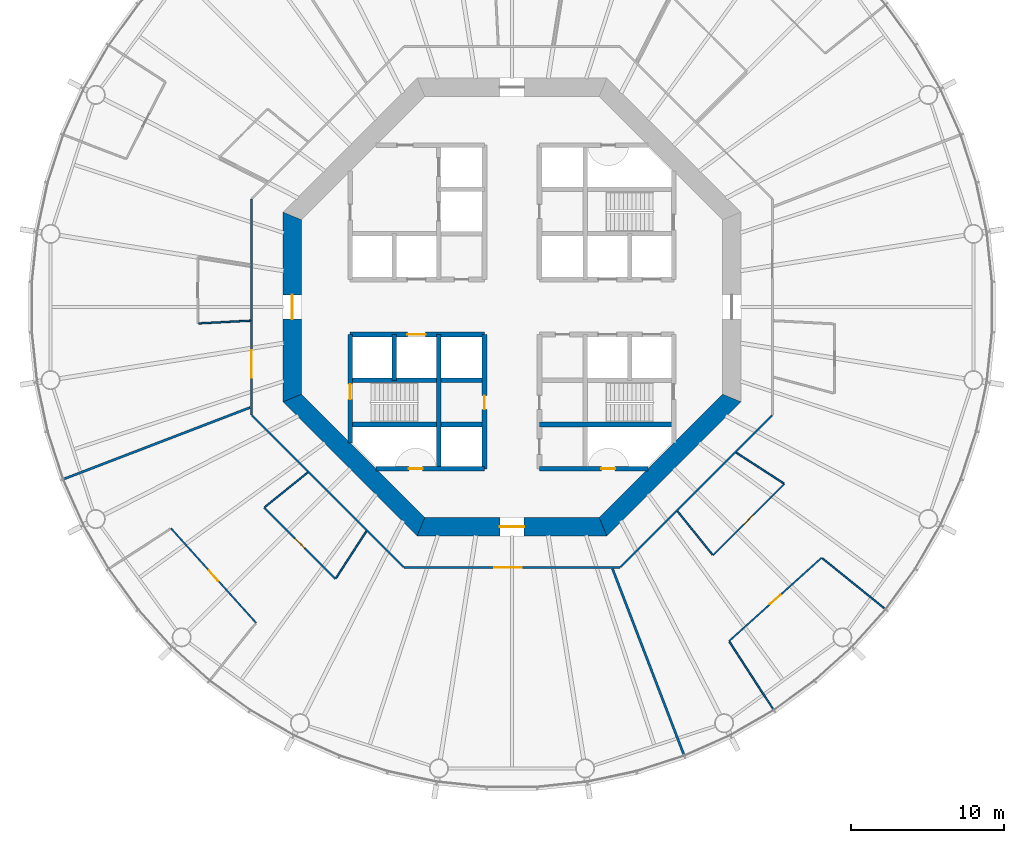
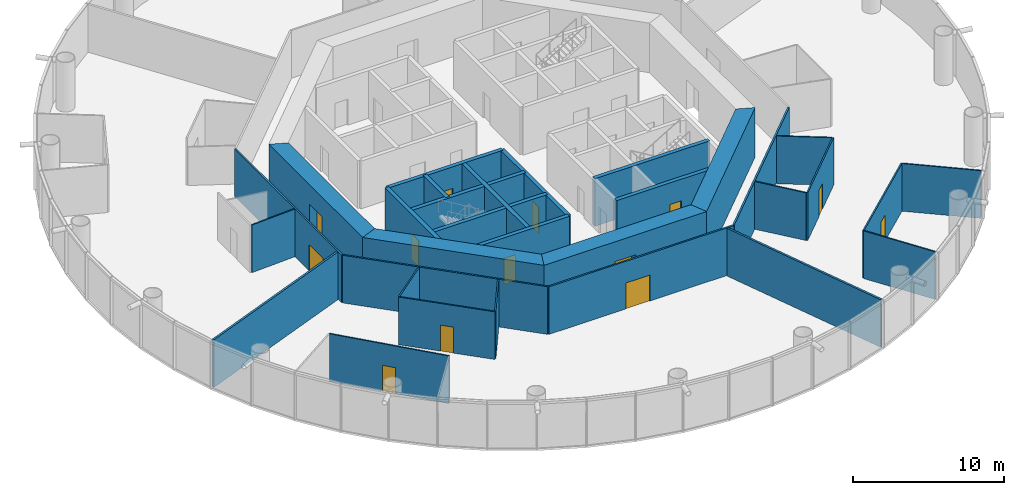
# One storey, part 3 of 13: 31 walls, 13 doors, 13 openings.
"""IFC4 building model written with IfcOpenShell, lengths in metres."""

from ifc_helpers import new_model, si_unit, direction, frame, frame_2d, origin, place, context, subcontext, project, spatial, polyline, rectangle, outline, extrude, material, layer, layer_set, type_object, element, fill, save


model = new_model("IFC4")

# Units and contexts
model_context = context("Model", 3, precision=1e-05, world=origin(), true_north=direction((0.0, 1.0)))
body_context = subcontext(model_context, "Body", "Model", "MODEL_VIEW")
ifc_project = project(units=[si_unit("LENGTHUNIT", "METRE"), si_unit("AREAUNIT", "SQUARE_METRE"), si_unit("VOLUMEUNIT", "CUBIC_METRE"), si_unit("PLANEANGLEUNIT", "RADIAN"), si_unit("MASSUNIT", "GRAM", prefix="KILO")], contexts=[model_context])

# Site, building, storey
site_placement = place(None, origin())
site = spatial("IfcSite", under=ifc_project, at=site_placement, CompositionType="ELEMENT")
building_placement = place(site_placement, origin())
building = spatial("IfcBuilding", under=site, at=building_placement, Name="Entoto Ring Tower", CompositionType="ELEMENT")
storey_placement = place(building_placement, frame((0.0, 0.0, 112.0)))
storey = spatial("IfcBuildingStorey", under=building, at=storey_placement, Name="L25", CompositionType="ELEMENT", Elevation=112.0)

# Wall, opening, door
ifc_material_1 = material(Name="Concrete C40/50", Category="concrete")
ifc_layer_1 = layer(ifc_material_1, 0.300048828125)
ifc_layer_set_1 = layer_set([ifc_layer_1], Name="Concrete C40/50")
wall_type_1 = type_object("IfcWallType", Name="Core enclosure wall 300 mm reinforced concrete", PredefinedType="SOLIDWALL", material=ifc_layer_set_1)
wall_1_placement = place(storey_placement, frame((88.199951171875, 69.39990234375, 0.0), z_axis=(0.0, 0.0, 1.0), x_axis=(0.0, 1.0, 0.0)))
wall_1 = element("IfcWall", 1, at=wall_1_placement, inside=storey, type_object=wall_type_1, Name="wall-L25-009", PredefinedType="SOLIDWALL", context=body_context, shape_type="SweptSolid", body=[
    extrude(rectangle(XDim=8.800048828125, YDim=0.300048828125, at=frame_2d((4.39990234375, 0.0))), origin(), (0.0, 0.0, 1.0), 3.85009765625),
])
opening_1_placement = place(wall_1_placement, frame((3.89990234375, 0.0, 0.0)))
opening_1 = element("IfcOpeningElement", 2, at=opening_1_placement, cuts=wall_1, Name="Opening K-14", PredefinedType="OPENING", context=body_context, shape_type="SweptSolid", body=[
    extrude(rectangle(XDim=0.89990234375, YDim=2.10009765625, at=frame_2d((0.449951171875, 1.050048828125))), frame((0.0, 0.16015625, 0.0), z_axis=(0.0, -1.0, 0.0), x_axis=(1.0, 0.0, 0.0)), (0.0, 0.0, 1.0), 0.320068359375),
])
ifc_material_2 = material(Name="Steel door leaf, fire rated", Category="steel")
ifc_layer_2 = layer(ifc_material_2, 0.050048828125)
ifc_layer_set_2 = layer_set([ifc_layer_2], Name="Steel door leaf, fire rated")
door_type_1 = type_object("IfcDoorType", Name="Core door 900 x 2100 single leaf", OperationType="NOTDEFINED", PredefinedType="DOOR", material=ifc_layer_set_2)
door_1_placement = place(opening_1_placement, origin())
door_1 = element("IfcDoor", 3, at=door_1_placement, inside=storey, type_object=door_type_1, Name="Door K-14", OperationType="SINGLE_SWING_RIGHT", OverallHeight=2.10009765625, OverallWidth=0.89990234375, PredefinedType="DOOR", context=body_context, shape_type="SweptSolid", body=[
    extrude(rectangle(XDim=0.89990234375, YDim=2.10009765625, at=frame_2d((0.449951171875, 1.050048828125))), frame((0.0, 0.02490234375, 0.0), z_axis=(0.0, -1.0, 0.0), x_axis=(1.0, 0.0, 0.0)), (0.0, 0.0, 1.0), 0.050048828125),
])
fill(opening_1, door_1)

# Walls
wall_2_placement = place(storey_placement, frame((85.199951171875, 69.39990234375, 0.0), z_axis=(0.0, 0.0, 1.0), x_axis=(0.0, 1.0, 0.0)))
element("IfcWall", 4, at=wall_2_placement, inside=storey, type_object=wall_type_1, Name="wall-L25-011", PredefinedType="SOLIDWALL", context=body_context, shape_type="SweptSolid", body=[
    extrude(rectangle(XDim=8.800048828125, YDim=0.300048828125, at=frame_2d((4.39990234375, 0.0))), origin(), (0.0, 0.0, 1.0), 3.85009765625),
])
wall_3_placement = place(storey_placement, frame((82.300048828125, 75.199951171875, 0.0), z_axis=(0.0, 0.0, 1.0), x_axis=(0.0, 1.0, 0.0)))
element("IfcWall", 5, at=wall_3_placement, inside=storey, type_object=wall_type_1, Name="wall-L25-013", PredefinedType="SOLIDWALL", context=body_context, shape_type="SweptSolid", body=[
    extrude(rectangle(XDim=3.0, YDim=0.300048828125, at=frame_2d((1.5, 0.0))), origin(), (0.0, 0.0, 1.0), 3.85009765625),
])

# Wall, opening, door
wall_4_placement = place(storey_placement, frame((79.39990234375, 71.083984375, 0.0), z_axis=(0.0, 0.0, 1.0), x_axis=(0.0, 1.0, 0.0)))
wall_4 = element("IfcWall", 6, at=wall_4_placement, inside=storey, type_object=wall_type_1, Name="wall-L25-015", PredefinedType="SOLIDWALL", context=body_context, shape_type="SweptSolid", body=[
    extrude(rectangle(XDim=7.115966796875, YDim=0.300048828125, at=frame_2d((3.55810546875, 0.0))), origin(), (0.0, 0.0, 1.0), 3.85009765625),
])
opening_2_placement = place(wall_4_placement, frame((2.8662109375, 0.0, 0.0)))
opening_2 = element("IfcOpeningElement", 7, at=opening_2_placement, cuts=wall_4, Name="Opening K-59", PredefinedType="OPENING", context=body_context, shape_type="SweptSolid", body=[
    extrude(rectangle(XDim=1.0, YDim=2.10009765625, at=frame_2d((0.5, 1.050048828125))), frame((0.0, 0.16015625, 0.0), z_axis=(0.0, -1.0, 0.0), x_axis=(1.0, 0.0, 0.0)), (0.0, 0.0, 1.0), 0.320068359375),
])
ifc_material_3 = material(Name="Steel door leaf, fire rated", Category="steel")
ifc_layer_3 = layer(ifc_material_3, 0.050048828125)
ifc_layer_set_3 = layer_set([ifc_layer_3], Name="Steel door leaf, fire rated")
door_type_2 = type_object("IfcDoorType", Name="Fire door FD60 1000 x 2100 single leaf", OperationType="NOTDEFINED", PredefinedType="DOOR", material=ifc_layer_set_3)
door_2_placement = place(opening_2_placement, frame((1.0, 0.0, 0.0), z_axis=(0.0, 0.0, 1.0), x_axis=(-1.0, 0.0, 0.0)))
door_2 = element("IfcDoor", 8, at=door_2_placement, inside=storey, type_object=door_type_2, Name="Door K-59", OperationType="SINGLE_SWING_LEFT", OverallHeight=2.10009765625, OverallWidth=1.0, PredefinedType="DOOR", context=body_context, shape_type="SweptSolid", body=[
    extrude(rectangle(XDim=1.0, YDim=2.10009765625, at=frame_2d((0.5, 1.050048828125))), frame((0.0, 0.02490234375, 0.0), z_axis=(0.0, -1.0, 0.0), x_axis=(1.0, 0.0, 0.0)), (0.0, 0.0, 1.0), 0.050048828125),
])
fill(opening_2, door_2)

wall_5_placement = place(storey_placement, frame((81.083984375, 69.39990234375, 0.0), z_axis=(0.0, 0.0, 1.0), x_axis=(1.0, 0.0, 0.0)))
wall_5 = element("IfcWall", 9, at=wall_5_placement, inside=storey, type_object=wall_type_1, Name="wall-L25-017", PredefinedType="SOLIDWALL", context=body_context, shape_type="SweptSolid", body=[
    extrude(rectangle(XDim=7.115966796875, YDim=0.300048828125, at=frame_2d((3.55810546875, 0.0))), origin(), (0.0, 0.0, 1.0), 3.85009765625),
])
opening_3_placement = place(wall_5_placement, frame((2.166015625, 0.0, 0.0)))
opening_3 = element("IfcOpeningElement", 10, at=opening_3_placement, cuts=wall_5, Name="Opening K-66", PredefinedType="OPENING", context=body_context, shape_type="SweptSolid", body=[
    extrude(rectangle(XDim=0.89990234375, YDim=2.10009765625, at=frame_2d((0.449951171875, 1.050048828125))), frame((0.0, 0.16015625, 0.0), z_axis=(0.0, -1.0, 0.0), x_axis=(1.0, 0.0, 0.0)), (0.0, 0.0, 1.0), 0.320068359375),
])
ifc_material_4 = material(Name="Steel door leaf, fire rated", Category="steel")
ifc_layer_4 = layer(ifc_material_4, 0.050048828125)
ifc_layer_set_4 = layer_set([ifc_layer_4], Name="Steel door leaf, fire rated")
door_type_3 = type_object("IfcDoorType", Name="Riser door FD60 900 x 2100 single leaf", OperationType="NOTDEFINED", PredefinedType="DOOR", material=ifc_layer_set_4)
door_3_placement = place(opening_3_placement, origin())
door_3 = element("IfcDoor", 11, at=door_3_placement, inside=storey, type_object=door_type_3, Name="Door K-66", OperationType="SINGLE_SWING_RIGHT", OverallHeight=2.10009765625, OverallWidth=0.89990234375, PredefinedType="DOOR", context=body_context, shape_type="SweptSolid", body=[
    extrude(rectangle(XDim=0.89990234375, YDim=2.10009765625, at=frame_2d((0.449951171875, 1.050048828125))), frame((0.0, 0.02490234375, 0.0), z_axis=(0.0, -1.0, 0.0), x_axis=(1.0, 0.0, 0.0)), (0.0, 0.0, 1.0), 0.050048828125),
])
fill(opening_3, door_3)

wall_6_placement = place(storey_placement, frame((91.800048828125, 69.39990234375, 0.0), z_axis=(0.0, 0.0, 1.0), x_axis=(1.0, 0.0, 0.0)))
wall_6 = element("IfcWall", 12, at=wall_6_placement, inside=storey, type_object=wall_type_1, Name="wall-L25-018", PredefinedType="SOLIDWALL", context=body_context, shape_type="SweptSolid", body=[
    extrude(rectangle(XDim=7.115966796875, YDim=0.300048828125, at=frame_2d((3.55810546875, 0.0))), origin(), (0.0, 0.0, 1.0), 3.85009765625),
])
opening_4_placement = place(wall_6_placement, frame((4.050048828125, 0.0, 0.0)))
opening_4 = element("IfcOpeningElement", 13, at=opening_4_placement, cuts=wall_6, Name="Opening K-68", PredefinedType="OPENING", context=body_context, shape_type="SweptSolid", body=[
    extrude(rectangle(XDim=0.89990234375, YDim=2.10009765625, at=frame_2d((0.449951171875, 1.050048828125))), frame((0.0, 0.16015625, 0.0), z_axis=(0.0, -1.0, 0.0), x_axis=(1.0, 0.0, 0.0)), (0.0, 0.0, 1.0), 0.320068359375),
])
door_4_placement = place(opening_4_placement, origin())
door_4 = element("IfcDoor", 14, at=door_4_placement, inside=storey, type_object=door_type_3, Name="Door K-68", OperationType="SINGLE_SWING_LEFT", OverallHeight=2.10009765625, OverallWidth=0.89990234375, PredefinedType="DOOR", context=body_context, shape_type="SweptSolid", body=[
    extrude(rectangle(XDim=0.89990234375, YDim=2.10009765625, at=frame_2d((0.449951171875, 1.050048828125))), frame((0.0, 0.02490234375, 0.0), z_axis=(0.0, -1.0, 0.0), x_axis=(1.0, 0.0, 0.0)), (0.0, 0.0, 1.0), 0.050048828125),
])
fill(opening_4, door_4)

# Walls
for number, where, z_axis, x_axis, name in (
    (15, (79.39990234375, 72.300048828125, 0.0), (0.0, 0.0, 1.0), (1.0, 0.0, 0.0), "wall-L25-019"),
    (16, (91.800048828125, 72.300048828125, 0.0), (0.0, 0.0, 1.0), (1.0, 0.0, 0.0), "wall-L25-020"),
    (17, (79.39990234375, 75.199951171875, 0.0), (0.0, 0.0, 1.0), (1.0, 0.0, 0.0), "wall-L25-021"),
):
    element("IfcWall", number, at=place(storey_placement, frame(where, z_axis=z_axis, x_axis=x_axis)), inside=storey, type_object=wall_type_1, Name=name, PredefinedType="SOLIDWALL", context=body_context, shape_type="SweptSolid", body=[
        extrude(rectangle(XDim=8.800048828125, YDim=0.300048828125, at=frame_2d((4.39990234375, 0.0))), origin(), (0.0, 0.0, 1.0), 3.85009765625),
    ])

# Wall, opening, door
wall_7_placement = place(storey_placement, frame((79.39990234375, 78.199951171875, 0.0), z_axis=(0.0, 0.0, 1.0), x_axis=(1.0, 0.0, 0.0)))
wall_7 = element("IfcWall", 18, at=wall_7_placement, inside=storey, type_object=wall_type_1, Name="wall-L25-023", PredefinedType="SOLIDWALL", context=body_context, shape_type="SweptSolid", body=[
    extrude(rectangle(XDim=8.800048828125, YDim=0.300048828125, at=frame_2d((4.39990234375, 0.0))), origin(), (0.0, 0.0, 1.0), 3.85009765625),
])
opening_5_placement = place(wall_7_placement, frame((3.75, 0.0, 0.0)))
opening_5 = element("IfcOpeningElement", 19, at=opening_5_placement, cuts=wall_7, Name="Opening LD", PredefinedType="OPENING", context=body_context, shape_type="SweptSolid", body=[
    extrude(rectangle(XDim=1.199951171875, YDim=2.10009765625, at=frame_2d((0.60009765625, 1.050048828125))), frame((0.0, 0.16015625, 0.0), z_axis=(0.0, -1.0, 0.0), x_axis=(1.0, 0.0, 0.0)), (0.0, 0.0, 1.0), 0.320068359375),
])
ifc_material_5 = material(Name="Steel and glass door leaf", Category="steel")
ifc_layer_5 = layer(ifc_material_5, 0.050048828125)
ifc_layer_set_5 = layer_set([ifc_layer_5], Name="Steel and glass door leaf")
door_type_4 = type_object("IfcDoorType", Name="Landing door 1200 x 2100 sliding", OperationType="DOUBLE_DOOR_SLIDING", PredefinedType="DOOR", material=ifc_layer_set_5)
door_5_placement = place(opening_5_placement, origin())
door_5 = element("IfcDoor", 20, at=door_5_placement, inside=storey, type_object=door_type_4, Name="Landing door LB6-LR", OperationType="SLIDING_TO_RIGHT", OverallHeight=2.10009765625, OverallWidth=1.199951171875, PredefinedType="DOOR", context=body_context, shape_type="SweptSolid", body=[
    extrude(rectangle(XDim=1.199951171875, YDim=2.10009765625, at=frame_2d((0.60009765625, 1.050048828125))), frame((0.0, 0.02490234375, 0.0), z_axis=(0.0, -1.0, 0.0), x_axis=(1.0, 0.0, 0.0)), (0.0, 0.0, 1.0), 0.050048828125),
])
fill(opening_5, door_5)

ifc_material_6 = material(Name="Concrete C60/75", Category="concrete")
ifc_layer_6 = layer(ifc_material_6, 1.199951171875)
ifc_layer_set_6 = layer_set([ifc_layer_6], Name="Concrete C60/75")
wall_type_2 = type_object("IfcWallType", Name="Core shear wall 1200 mm reinforced concrete C60/75", PredefinedType="SHEAR", material=ifc_layer_set_6)
wall_8_placement = place(storey_placement, frame((75.60009765625, 85.964599609375, 0.0), z_axis=(0.0, 0.0, 1.0), x_axis=(0.0, -1.0, 0.0)))
wall_8 = element("IfcWall", 21, at=wall_8_placement, inside=storey, type_object=wall_type_2, Name="wall-L25-core-4", PredefinedType="SHEAR", context=body_context, shape_type="SweptSolid", body=[
    extrude(outline(polyline([(-0.24853515625, -0.60009765625), (12.177734375, -0.60009765625), (11.6806640625, 0.60009765625), (0.24853515625, 0.60009765625), (-0.24853515625, -0.60009765625)])), origin(), (0.0, 0.0, 1.0), 4.0),
])
opening_6_placement = place(wall_8_placement, frame((5.164794921875, 0.0, 0.0)))
opening_6 = element("IfcOpeningElement", 22, at=opening_6_placement, cuts=wall_8, Name="Opening K-03", PredefinedType="OPENING", context=body_context, shape_type="SweptSolid", body=[
    extrude(rectangle(XDim=1.60009765625, YDim=2.39990234375, at=frame_2d((0.800048828125, 1.199951171875))), frame((0.0, 0.60986328125, 0.0), z_axis=(0.0, -1.0, 0.0), x_axis=(1.0, 0.0, 0.0)), (0.0, 0.0, 1.0), 1.219970703125),
])
ifc_material_7 = material(Name="Steel door leaf, fire rated", Category="steel")
ifc_layer_7 = layer(ifc_material_7, 0.050048828125)
ifc_layer_set_7 = layer_set([ifc_layer_7], Name="Steel door leaf, fire rated")
door_type_5 = type_object("IfcDoorType", Name="Entrance door FD60 1600 x 2400 double leaf", OperationType="DOUBLE_DOOR_SINGLE_SWING", PredefinedType="DOOR", material=ifc_layer_set_7)
door_6_placement = place(opening_6_placement, origin())
door_6 = element("IfcDoor", 23, at=door_6_placement, inside=storey, type_object=door_type_5, Name="Entrance door K-03", OperationType="DOUBLE_DOOR_SINGLE_SWING", OverallHeight=2.39990234375, OverallWidth=1.60009765625, PredefinedType="DOOR", context=body_context, shape_type="SweptSolid", body=[
    extrude(rectangle(XDim=1.60009765625, YDim=2.39990234375, at=frame_2d((0.800048828125, 1.199951171875))), frame((0.0, 0.02490234375, 0.0), z_axis=(0.0, -1.0, 0.0), x_axis=(1.0, 0.0, 0.0)), (0.0, 0.0, 1.0), 0.050048828125),
])
fill(opening_6, door_6)

# Wall
wall_9_placement = place(storey_placement, frame((75.60009765625, 74.035400390625, 0.0), z_axis=(0.0, 0.0, 1.0), x_axis=(0.707106781187, -0.707106781187, 0.0)))
element("IfcWall", 24, at=wall_9_placement, inside=storey, type_object=wall_type_2, Name="wall-L25-core-5", PredefinedType="SHEAR", context=body_context, shape_type="SweptSolid", body=[
    extrude(outline(polyline([(-0.24853515625, -0.60009765625), (12.177734375, -0.60009765625), (11.6806640625, 0.60009765625), (0.24853515625, 0.60009765625), (-0.24853515625, -0.60009765625)])), origin(), (0.0, 0.0, 1.0), 4.0),
])

# Wall, opening, door
wall_10_placement = place(storey_placement, frame((84.035400390625, 65.60009765625, 0.0), z_axis=(0.0, 0.0, 1.0), x_axis=(1.0, 0.0, 0.0)))
wall_10 = element("IfcWall", 25, at=wall_10_placement, inside=storey, type_object=wall_type_2, Name="wall-L25-core-6", PredefinedType="SHEAR", context=body_context, shape_type="SweptSolid", body=[
    extrude(outline(polyline([(-0.24853515625, -0.60009765625), (12.177734375, -0.60009765625), (11.6806640625, 0.60009765625), (0.24853515625, 0.60009765625), (-0.24853515625, -0.60009765625)])), origin(), (0.0, 0.0, 1.0), 4.0),
])
opening_7_placement = place(wall_10_placement, frame((5.164794921875, 0.0, 0.0)))
opening_7 = element("IfcOpeningElement", 26, at=opening_7_placement, cuts=wall_10, Name="Opening K-04", PredefinedType="OPENING", context=body_context, shape_type="SweptSolid", body=[
    extrude(rectangle(XDim=1.60009765625, YDim=2.39990234375, at=frame_2d((0.800048828125, 1.199951171875))), frame((0.0, 0.60986328125, 0.0), z_axis=(0.0, -1.0, 0.0), x_axis=(1.0, 0.0, 0.0)), (0.0, 0.0, 1.0), 1.219970703125),
])
door_7_placement = place(opening_7_placement, origin())
door_7 = element("IfcDoor", 27, at=door_7_placement, inside=storey, type_object=door_type_5, Name="Entrance door K-04", OperationType="DOUBLE_DOOR_SINGLE_SWING", OverallHeight=2.39990234375, OverallWidth=1.60009765625, PredefinedType="DOOR", context=body_context, shape_type="SweptSolid", body=[
    extrude(rectangle(XDim=1.60009765625, YDim=2.39990234375, at=frame_2d((0.800048828125, 1.199951171875))), frame((0.0, 0.02490234375, 0.0), z_axis=(0.0, -1.0, 0.0), x_axis=(1.0, 0.0, 0.0)), (0.0, 0.0, 1.0), 0.050048828125),
])
fill(opening_7, door_7)

# Wall
wall_11_placement = place(storey_placement, frame((95.964599609375, 65.60009765625, 0.0), z_axis=(0.0, 0.0, 1.0), x_axis=(0.707106781187, 0.707106781187, 0.0)))
element("IfcWall", 28, at=wall_11_placement, inside=storey, type_object=wall_type_2, Name="wall-L25-core-7", PredefinedType="SHEAR", context=body_context, shape_type="SweptSolid", body=[
    extrude(outline(polyline([(-0.24853515625, -0.60009765625), (12.177734375, -0.60009765625), (11.6806640625, 0.60009765625), (0.24853515625, 0.60009765625), (-0.24853515625, -0.60009765625)])), origin(), (0.0, 0.0, 1.0), 4.0),
])

# Wall, opening, door
ifc_material_8 = material(Name="Fire-resisting plasterboard on steel studs", Category="steel")
ifc_layer_8 = layer(ifc_material_8, 0.125)
ifc_layer_set_8 = layer_set([ifc_layer_8], Name="Fire-resisting plasterboard on steel studs")
wall_type_3 = type_object("IfcWallType", Name="Corridor wall 125 mm one-hour plasterboard on steel studs", PredefinedType="PARTITIONING", material=ifc_layer_set_8)
wall_12_placement = place(storey_placement, frame((72.9375, 72.9326171875, 0.0), z_axis=(0.0, 0.0, 1.0), x_axis=(0.0, 1.0, 0.0)))
wall_12 = element("IfcWall", 29, at=wall_12_placement, inside=storey, type_object=wall_type_3, Name="partition-L25-001", PredefinedType="PARTITIONING", context=body_context, shape_type="SweptSolid", body=[
    extrude(rectangle(XDim=14.134765625, YDim=0.125, at=frame_2d((7.0673828125, 0.0))), origin(), (0.0, 0.0, 1.0), 3.85009765625),
])
opening_8_placement = place(wall_12_placement, frame((2.445556640625, 0.0, 0.0)))
opening_8 = element("IfcOpeningElement", 30, at=opening_8_placement, cuts=wall_12, Name="Opening A10-D05", PredefinedType="OPENING", context=body_context, shape_type="SweptSolid", body=[
    extrude(rectangle(XDim=1.800048828125, YDim=2.10009765625, at=frame_2d((0.89990234375, 1.050048828125))), frame((0.0, 0.072509765625, 0.0), z_axis=(0.0, -1.0, 0.0), x_axis=(1.0, 0.0, 0.0)), (0.0, 0.0, 1.0), 0.14501953125),
])
ifc_material_9 = material(Name="Fire-resisting timber door set", Category="wood")
door_type_6 = type_object("IfcDoorType", Name="Door 1800 x 2100 double leaf FD30S fire door", OperationType="DOUBLE_DOOR_SINGLE_SWING", PredefinedType="DOOR", material=ifc_material_9)
door_8_placement = place(opening_8_placement, origin())
door_8 = element("IfcDoor", 31, at=door_8_placement, inside=storey, type_object=door_type_6, Name="Door A10-D05", OperationType="DOUBLE_DOOR_SINGLE_SWING", OverallHeight=2.10009765625, OverallWidth=1.800048828125, PredefinedType="DOOR", context=body_context, shape_type="SweptSolid", body=[
    extrude(rectangle(XDim=1.800048828125, YDim=2.10009765625, at=frame_2d((0.89990234375, 1.050048828125))), frame((0.0, 0.02490234375, 0.0), z_axis=(0.0, -1.0, 0.0), x_axis=(1.0, 0.0, 0.0)), (0.0, 0.0, 1.0), 0.050048828125),
])
fill(opening_8, door_8)

wall_13_placement = place(storey_placement, frame((82.9326171875, 62.9375, 0.0), z_axis=(0.0, 0.0, 1.0), x_axis=(1.0, 0.0, 0.0)))
wall_13 = element("IfcWall", 32, at=wall_13_placement, inside=storey, type_object=wall_type_3, Name="partition-L25-002", PredefinedType="PARTITIONING", context=body_context, shape_type="SweptSolid", body=[
    extrude(rectangle(XDim=14.134765625, YDim=0.125, at=frame_2d((7.0673828125, 0.0))), origin(), (0.0, 0.0, 1.0), 3.85009765625),
])
opening_9_placement = place(wall_13_placement, frame((5.90869140625, 0.0, 0.0)))
opening_9 = element("IfcOpeningElement", 33, at=opening_9_placement, cuts=wall_13, Name="Opening A10-D09", PredefinedType="OPENING", context=body_context, shape_type="SweptSolid", body=[
    extrude(rectangle(XDim=1.800048828125, YDim=2.10009765625, at=frame_2d((0.89990234375, 1.050048828125))), frame((0.0, 0.072509765625, 0.0), z_axis=(0.0, -1.0, 0.0), x_axis=(1.0, 0.0, 0.0)), (0.0, 0.0, 1.0), 0.14501953125),
])
door_9_placement = place(opening_9_placement, frame((1.800048828125, 0.0, 0.0), z_axis=(0.0, 0.0, 1.0), x_axis=(-1.0, 0.0, 0.0)))
door_9 = element("IfcDoor", 34, at=door_9_placement, inside=storey, type_object=door_type_6, Name="Door A10-D09", OperationType="DOUBLE_DOOR_SINGLE_SWING", OverallHeight=2.10009765625, OverallWidth=1.800048828125, PredefinedType="DOOR", context=body_context, shape_type="SweptSolid", body=[
    extrude(rectangle(XDim=1.800048828125, YDim=2.10009765625, at=frame_2d((0.89990234375, 1.050048828125))), frame((0.0, 0.02490234375, 0.0), z_axis=(0.0, -1.0, 0.0), x_axis=(1.0, 0.0, 0.0)), (0.0, 0.0, 1.0), 0.050048828125),
])
fill(opening_9, door_9)

# Walls
for number, where, z_axis, x_axis, name in (
    (35, (82.9013671875, 62.968505859375, 0.0), (0.0, 0.0, 1.0), (-0.707106781187, 0.707106781187, 0.0), "partition-L25-006"),
    (36, (97.0986328125, 62.968505859375, 0.0), (0.0, 0.0, 1.0), (0.707106781187, 0.707106781187, 0.0), "partition-L25-007"),
):
    element("IfcWall", number, at=place(storey_placement, frame(where, z_axis=z_axis, x_axis=x_axis)), inside=storey, type_object=wall_type_3, Name=name, PredefinedType="PARTITIONING", context=body_context, shape_type="SweptSolid", body=[
        extrude(rectangle(XDim=14.047119140625, YDim=0.125, at=frame_2d((7.0234375, 0.0))), origin(), (0.0, 0.0, 1.0), 3.85009765625),
    ])

# Wall, opening, door
ifc_material_10 = material(Name="Plasterboard on steel studs", Category="steel")
ifc_layer_9 = layer(ifc_material_10, 0.10009765625)
ifc_layer_set_9 = layer_set([ifc_layer_9], Name="Plasterboard on steel studs")
wall_type_4 = type_object("IfcWallType", Name="Partition 100 mm plasterboard on steel studs", PredefinedType="PARTITIONING", material=ifc_layer_set_9)
wall_14_placement = place(storey_placement, frame((73.2412109375, 59.3046875, 0.0), z_axis=(0.0, 0.0, 1.0), x_axis=(-0.669128228002, 0.743146966953, 0.0)))
wall_14 = element("IfcWall", 37, at=wall_14_placement, inside=storey, type_object=wall_type_4, Name="partition-L25-013", PredefinedType="PARTITIONING", context=body_context, shape_type="SweptSolid", body=[
    extrude(rectangle(XDim=8.33154296875, YDim=0.10009765625, at=frame_2d((4.165771484375, 0.0))), origin(), (0.0, 0.0, 1.0), 3.85009765625),
])
opening_10_placement = place(wall_14_placement, frame((3.7158203125, 0.0, 0.0)))
opening_10 = element("IfcOpeningElement", 38, at=opening_10_placement, cuts=wall_14, Name="Opening A10-D11", PredefinedType="OPENING", context=body_context, shape_type="SweptSolid", body=[
    extrude(rectangle(XDim=0.89990234375, YDim=2.10009765625, at=frame_2d((0.449951171875, 1.050048828125))), frame((0.0, 0.06005859375, 0.0), z_axis=(0.0, -1.0, 0.0), x_axis=(1.0, 0.0, 0.0)), (0.0, 0.0, 1.0), 0.1201171875),
])
ifc_material_11 = material(Name="Veneered timber door leaf in timber frame", Category="wood")
door_type_7 = type_object("IfcDoorType", Name="Door 900 x 2100 single leaf timber veneer", OperationType="NOTDEFINED", PredefinedType="DOOR", material=ifc_material_11)
door_10_placement = place(opening_10_placement, origin())
door_10 = element("IfcDoor", 39, at=door_10_placement, inside=storey, type_object=door_type_7, Name="Door A10-D11", OperationType="SINGLE_SWING_LEFT", OverallHeight=2.10009765625, OverallWidth=0.89990234375, PredefinedType="DOOR", context=body_context, shape_type="SweptSolid", body=[
    extrude(rectangle(XDim=0.89990234375, YDim=2.10009765625, at=frame_2d((0.449951171875, 1.050048828125))), frame((0.0, 0.02490234375, 0.0), z_axis=(0.0, -1.0, 0.0), x_axis=(1.0, 0.0, 0.0)), (0.0, 0.0, 1.0), 0.050048828125),
])
fill(opening_10, door_10)

wall_15_placement = place(storey_placement, frame((104.215087890625, 58.110595703125, 0.0), z_axis=(0.0, 0.0, 1.0), x_axis=(0.743136543418, 0.669139804403, 0.0)))
wall_15 = element("IfcWall", 40, at=wall_15_placement, inside=storey, type_object=wall_type_4, Name="partition-L25-014", PredefinedType="PARTITIONING", context=body_context, shape_type="SweptSolid", body=[
    extrude(rectangle(XDim=8.165771484375, YDim=0.10009765625, at=frame_2d((4.0830078125, 0.0))), origin(), (0.0, 0.0, 1.0), 3.85009765625),
])
opening_11_placement = place(wall_15_placement, frame((3.6328125, 0.0, 0.0)))
opening_11 = element("IfcOpeningElement", 41, at=opening_11_placement, cuts=wall_15, Name="Opening A10-D15", PredefinedType="OPENING", context=body_context, shape_type="SweptSolid", body=[
    extrude(rectangle(XDim=0.89990234375, YDim=2.10009765625, at=frame_2d((0.449951171875, 1.050048828125))), frame((0.0, 0.06005859375, 0.0), z_axis=(0.0, -1.0, 0.0), x_axis=(1.0, 0.0, 0.0)), (0.0, 0.0, 1.0), 0.1201171875),
])
door_11_placement = place(opening_11_placement, frame((0.89990234375, 0.0, 0.0), z_axis=(0.0, 0.0, 1.0), x_axis=(-1.0, 0.0, 0.0)))
door_11 = element("IfcDoor", 42, at=door_11_placement, inside=storey, type_object=door_type_7, Name="Door A10-D15", OperationType="SINGLE_SWING_RIGHT", OverallHeight=2.10009765625, OverallWidth=0.89990234375, PredefinedType="DOOR", context=body_context, shape_type="SweptSolid", body=[
    extrude(rectangle(XDim=0.89990234375, YDim=2.10009765625, at=frame_2d((0.449951171875, 1.050048828125))), frame((0.0, 0.02490234375, 0.0), z_axis=(0.0, -1.0, 0.0), x_axis=(1.0, 0.0, 0.0)), (0.0, 0.0, 1.0), 0.050048828125),
])
fill(opening_11, door_11)

wall_16_placement = place(storey_placement, frame((103.169921875, 63.736572265625, 0.0), z_axis=(0.0, 0.0, 1.0), x_axis=(0.707088317181, 0.70712524471, 0.0)))
wall_16 = element("IfcWall", 43, at=wall_16_placement, inside=storey, type_object=wall_type_4, Name="partition-L25-016", PredefinedType="PARTITIONING", context=body_context, shape_type="SweptSolid", body=[
    extrude(rectangle(XDim=6.611328125, YDim=0.10009765625, at=frame_2d((3.3056640625, 0.0))), origin(), (0.0, 0.0, 1.0), 3.85009765625),
])
opening_12_placement = place(wall_16_placement, frame((2.855712890625, 0.0, 0.0)))
opening_12 = element("IfcOpeningElement", 44, at=opening_12_placement, cuts=wall_16, Name="Opening A10-D13", PredefinedType="OPENING", context=body_context, shape_type="SweptSolid", body=[
    extrude(rectangle(XDim=0.89990234375, YDim=2.10009765625, at=frame_2d((0.449951171875, 1.050048828125))), frame((0.0, 0.06005859375, 0.0), z_axis=(0.0, -1.0, 0.0), x_axis=(1.0, 0.0, 0.0)), (0.0, 0.0, 1.0), 0.1201171875),
])
door_12_placement = place(opening_12_placement, origin())
door_12 = element("IfcDoor", 45, at=door_12_placement, inside=storey, type_object=door_type_7, Name="Door A10-D13", OperationType="SINGLE_SWING_RIGHT", OverallHeight=2.10009765625, OverallWidth=0.89990234375, PredefinedType="DOOR", context=body_context, shape_type="SweptSolid", body=[
    extrude(rectangle(XDim=0.89990234375, YDim=2.10009765625, at=frame_2d((0.449951171875, 1.050048828125))), frame((0.0, 0.02490234375, 0.0), z_axis=(0.0, -1.0, 0.0), x_axis=(1.0, 0.0, 0.0)), (0.0, 0.0, 1.0), 0.050048828125),
])
fill(opening_12, door_12)

wall_17_placement = place(storey_placement, frame((78.43359375, 62.189453125, 0.0), z_axis=(0.0, 0.0, 1.0), x_axis=(-0.707088281434, 0.707125280455, 0.0)))
wall_17 = element("IfcWall", 46, at=wall_17_placement, inside=storey, type_object=wall_type_4, Name="partition-L25-017", PredefinedType="PARTITIONING", context=body_context, shape_type="SweptSolid", body=[
    extrude(rectangle(XDim=6.5986328125, YDim=0.10009765625, at=frame_2d((3.29931640625, 0.0))), origin(), (0.0, 0.0, 1.0), 3.85009765625),
])
opening_13_placement = place(wall_17_placement, frame((2.849365234375, 0.0, 0.0)))
opening_13 = element("IfcOpeningElement", 47, at=opening_13_placement, cuts=wall_17, Name="Opening A10-D10", PredefinedType="OPENING", context=body_context, shape_type="SweptSolid", body=[
    extrude(rectangle(XDim=0.89990234375, YDim=2.10009765625, at=frame_2d((0.449951171875, 1.050048828125))), frame((0.0, 0.06005859375, 0.0), z_axis=(0.0, -1.0, 0.0), x_axis=(1.0, 0.0, 0.0)), (0.0, 0.0, 1.0), 0.1201171875),
])
door_13_placement = place(opening_13_placement, frame((0.89990234375, 0.0, 0.0), z_axis=(0.0, 0.0, 1.0), x_axis=(-1.0, 0.0, 0.0)))
door_13 = element("IfcDoor", 48, at=door_13_placement, inside=storey, type_object=door_type_7, Name="Door A10-D10", OperationType="SINGLE_SWING_RIGHT", OverallHeight=2.10009765625, OverallWidth=0.89990234375, PredefinedType="DOOR", context=body_context, shape_type="SweptSolid", body=[
    extrude(rectangle(XDim=0.89990234375, YDim=2.10009765625, at=frame_2d((0.449951171875, 1.050048828125))), frame((0.0, 0.02490234375, 0.0), z_axis=(0.0, -1.0, 0.0), x_axis=(1.0, 0.0, 0.0)), (0.0, 0.0, 1.0), 0.050048828125),
])
fill(opening_13, door_13)

# Walls
for number, where, z_axis, x_axis, name in (
    (49, (107.12353515625, 53.632080078125, 0.0), (0.0, 0.0, 1.0), (-0.544639586566, 0.838670209764, 0.0), "partition-L25-020"),
    (50, (114.43359375, 60.214111328125, 0.0), (0.0, 0.0, 1.0), (-0.777154597768, 0.629309725945, 0.0), "partition-L25-021"),
):
    element("IfcWall", number, at=place(storey_placement, frame(where, z_axis=z_axis, x_axis=x_axis)), inside=storey, type_object=wall_type_4, Name=name, PredefinedType="PARTITIONING", context=body_context, shape_type="SweptSolid", body=[
        extrude(rectangle(XDim=5.290771484375, YDim=0.10009765625, at=frame_2d((2.6455078125, 0.0))), origin(), (0.0, 0.0, 1.0), 3.85009765625),
    ])
wall_18_placement = place(storey_placement, frame((107.793212890625, 68.445068359375, 0.0), z_axis=(0.0, 0.0, 1.0), x_axis=(-0.838683374187, 0.544619314624, 0.0)))
element("IfcWall", 51, at=wall_18_placement, inside=storey, type_object=wall_type_4, Name="partition-L25-036", PredefinedType="PARTITIONING", context=body_context, shape_type="SweptSolid", body=[
    extrude(rectangle(XDim=3.69775390625, YDim=0.10009765625, at=frame_2d((1.848876953125, 0.0))), origin(), (0.0, 0.0, 1.0), 3.85009765625),
])
wall_19_placement = place(storey_placement, frame((78.46728515625, 62.2412109375, 0.0), z_axis=(0.0, 0.0, 1.0), x_axis=(0.544645694367, 0.838666243274, 0.0)))
element("IfcWall", 52, at=wall_19_placement, inside=storey, type_object=wall_type_4, Name="partition-L25-037", PredefinedType="PARTITIONING", context=body_context, shape_type="SweptSolid", body=[
    extrude(rectangle(XDim=3.656982421875, YDim=0.10009765625, at=frame_2d((1.82861328125, 0.0))), origin(), (0.0, 0.0, 1.0), 3.85009765625),
])
wall_20_placement = place(storey_placement, frame((103.135009765625, 63.77978515625, 0.0), z_axis=(0.0, 0.0, 1.0), x_axis=(-0.62932917084, 0.777138851641, 0.0)))
element("IfcWall", 53, at=wall_20_placement, inside=storey, type_object=wall_type_4, Name="partition-L25-038", PredefinedType="PARTITIONING", context=body_context, shape_type="SweptSolid", body=[
    extrude(rectangle(XDim=3.64697265625, YDim=0.10009765625, at=frame_2d((1.823486328125, 0.0))), origin(), (0.0, 0.0, 1.0), 3.85009765625),
])
wall_21_placement = place(storey_placement, frame((73.810791015625, 66.890380859375, 0.0), z_axis=(0.0, 0.0, 1.0), x_axis=(0.777177086916, 0.629281952365, 0.0)))
element("IfcWall", 54, at=wall_21_placement, inside=storey, type_object=wall_type_4, Name="partition-L25-039", PredefinedType="PARTITIONING", context=body_context, shape_type="SweptSolid", body=[
    extrude(rectangle(XDim=3.60693359375, YDim=0.10009765625, at=frame_2d((1.803466796875, 0.0))), origin(), (0.0, 0.0, 1.0), 3.85009765625),
])
wall_22_placement = place(storey_placement, frame((69.47021484375, 78.924072265625, 0.0), z_axis=(0.0, 0.0, 1.0), x_axis=(0.998630667157, 0.052314344243, 0.0)))
element("IfcWall", 55, at=wall_22_placement, inside=storey, type_object=wall_type_4, Name="partition-L25-042", PredefinedType="PARTITIONING", context=body_context, shape_type="SweptSolid", body=[
    extrude(rectangle(XDim=3.40673828125, YDim=0.10009765625, at=frame_2d((1.703369140625, 0.0))), origin(), (0.0, 0.0, 1.0), 3.85009765625),
])
ifc_material_12 = material(Name="Fire-resisting acoustic plasterboard on steel studs", Category="steel")
ifc_layer_10 = layer(ifc_material_12, 0.14990234375)
ifc_layer_set_10 = layer_set([ifc_layer_10], Name="Fire-resisting acoustic plasterboard on steel studs")
wall_type_5 = type_object("IfcWallType", Name="Party wall 150 mm one-hour acoustic plasterboard on steel studs", PredefinedType="PARTITIONING", material=ifc_layer_set_10)
for number, where, z_axis, x_axis, name in (
    (56, (60.648193359375, 68.73291015625, 0.0), (0.0, 0.0, 1.0), (0.933583261388, 0.358360564315, 0.0), "partition-L25-010"),
    (57, (101.26708984375, 50.648193359375, 0.0), (0.0, 0.0, 1.0), (-0.358360564315, 0.933583261388, 0.0), "partition-L25-011"),
):
    element("IfcWall", number, at=place(storey_placement, frame(where, z_axis=z_axis, x_axis=x_axis)), inside=storey, type_object=wall_type_5, Name=name, PredefinedType="PARTITIONING", context=body_context, shape_type="SweptSolid", body=[
        extrude(rectangle(XDim=13.068115234375, YDim=0.14990234375, at=frame_2d((6.5341796875, 0.0))), origin(), (0.0, 0.0, 1.0), 3.85009765625),
    ])

save(model, "model.ifc")
